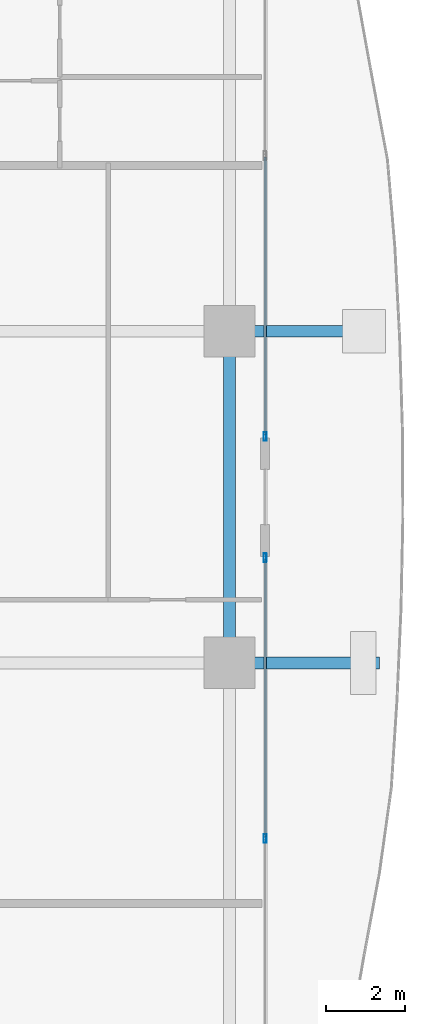
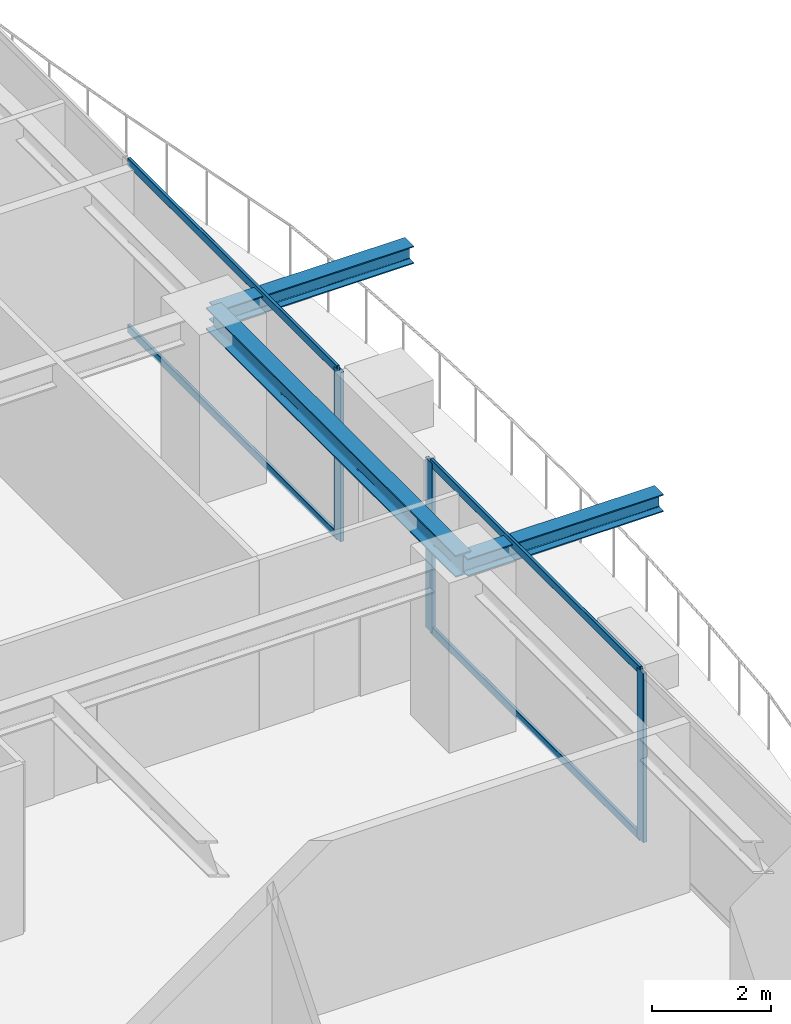
# One storey, part 14 of 35: 7 members, 3 beams, 2 elements without a shape of their own.
"""IFC4 building model written with IfcOpenShell, lengths in metres."""

from ifc_helpers import new_model, si_unit, direction, frame, origin, origin_2d, place, context, subcontext, project, spatial, hollow_rectangle, i_section, extrude, source, transform, mapped, material, layer, layer_set, material_profile, profile_set, type_object, element, aggregate, save


model = new_model("IFC4")

# Units and contexts
model_context = context("Model", 3, precision=1e-05, world=origin(), true_north=direction((0.0, 1.0)))
body_context = subcontext(model_context, "Body", "Model", "MODEL_VIEW")
ifc_project = project(units=[si_unit("LENGTHUNIT", "METRE"), si_unit("AREAUNIT", "SQUARE_METRE"), si_unit("VOLUMEUNIT", "CUBIC_METRE"), si_unit("PLANEANGLEUNIT", "RADIAN"), si_unit("MASSUNIT", "GRAM", prefix="KILO")], contexts=[model_context])

# Site, building, storey
site_placement = place(None, origin())
site = spatial("IfcSite", under=ifc_project, at=site_placement, CompositionType="ELEMENT")
building_placement = place(site_placement, origin())
building = spatial("IfcBuilding", under=site, at=building_placement, Name="Serunith Strait Residences", CompositionType="ELEMENT")
storey_placement = place(building_placement, frame((0.0, 0.0, 191.39990234375)))
storey = spatial("IfcBuildingStorey", under=building, at=storey_placement, Name="L48", CompositionType="ELEMENT", Elevation=191.39990234375)

# Beams
ifc_material_1 = material(Name="Steel S355J2", Category="steel")
ifc_material_profile_1 = material_profile(ifc_material_1, i_section(OverallWidth=0.300048828125, OverallDepth=0.449951171875, WebThickness=0.013916015625, FlangeThickness=0.02587890625, FilletRadius=0.027099609375, at=origin_2d()), Name="HEB 450")
ifc_profile_set_1 = profile_set([ifc_material_profile_1], Name="Steel S355J2")
beam_type_1 = type_object("IfcBeamType", Name="BM-HEB450", PredefinedType="BEAM", material=ifc_profile_set_1)
shared_shape_1 = source(origin(), body_context, "Body", "SweptSolid", [
    extrude(i_section(OverallWidth=0.300048828125, OverallDepth=0.449951171875, WebThickness=0.013916015625, FlangeThickness=0.02587890625, FilletRadius=0.027099609375, at=origin_2d()), origin(), (0.0, 0.0, 1.0), 8.39990234375),
])
beam_placement = place(storey_placement, frame((56.10009765625, 21.0, 3.26220703125), z_axis=(0.0, 1.0, 0.0), x_axis=(-1.0, 0.0, 0.0)))
element("IfcBeam", 1, at=beam_placement, inside=storey, type_object=beam_type_1, Name="L48 Perimeter Ring Beam 06", PredefinedType="BEAM", context=body_context, shape_type="MappedRepresentation", body=[
    mapped(shared_shape_1, transform((0.0, 0.0, 0.0), scale=1.0)),
])
ifc_material_profile_2 = material_profile(ifc_material_1, i_section(OverallWidth=0.300048828125, OverallDepth=0.360107421875, WebThickness=0.012451171875, FlangeThickness=0.0224609375, FilletRadius=0.027099609375, at=origin_2d()), Name="HEB 360")
ifc_profile_set_2 = profile_set([ifc_material_profile_2], Name="Steel S355J2")
beam_type_2 = type_object("IfcBeamType", Name="BM-HEB360", PredefinedType="BEAM", material=ifc_profile_set_2)
shared_shape_2 = source(origin(), body_context, "Body", "SweptSolid", [
    extrude(i_section(OverallWidth=0.300048828125, OverallDepth=0.360107421875, WebThickness=0.012451171875, FlangeThickness=0.0224609375, FilletRadius=0.027099609375, at=origin_2d()), origin(), (0.0, 0.0, 1.0), 3.7998046875),
])
for number, where, z_axis, x_axis, name in (
    (2, (56.10009765625, 21.0, 3.277099609375), (1.0, 0.0, 0.0), (0.0, 1.0, 0.0), "L49 Cantilevered Balcony Rib TC-E2"),
    (3, (56.10009765625, 29.39990234375, 3.277099609375), (1.0, 0.0, 0.0), (0.0, 1.0, 0.0), "L49 Cantilevered Balcony Rib TC-E3"),
):
    element("IfcBeam", number, at=place(storey_placement, frame(where, z_axis=z_axis, x_axis=x_axis)), inside=storey, type_object=beam_type_2, Name=name, PredefinedType="BEAM", context=body_context, shape_type="MappedRepresentation", body=[
        mapped(shared_shape_2, transform((0.0, 0.0, 0.0), scale=1.0)),
    ])

# Curtain wall, members
ifc_material_2 = material(Name="Pale-Silver PVDF Aluminium", Category="aluminium")
ifc_layer = layer(ifc_material_2, 0.199951171875, Name="Pale-Silver PVDF Aluminium")
ifc_layer_set = layer_set([ifc_layer], Name="Pale-Silver PVDF Aluminium")
curtain_wall_type = type_object("IfcCurtainWallType", Name="CW-SYS3", PredefinedType="NOTDEFINED", material=ifc_layer_set)
curtain_wall_1_placement = place(storey_placement, origin())
curtain_wall_1 = element("IfcCurtainWall", 4, at=curtain_wall_1_placement, inside=storey, type_object=curtain_wall_type, Name="L48 E Unitised Fritted Curtain Wall", PredefinedType="NOTDEFINED")
ifc_material_profile_3 = material_profile(ifc_material_2, hollow_rectangle(XDim=0.074951171875, YDim=0.219970703125, WallThickness=0.00390625, InnerFilletRadius=0.006103515625, OuterFilletRadius=0.010009765625, at=origin_2d()), Name="ALU 220x75x4")
ifc_profile_set_3 = profile_set([ifc_material_profile_3], Name="Pale-Silver PVDF Aluminium")
member_type_1 = type_object("IfcMemberType", Name="CW-SYS3-MULL", PredefinedType="MULLION", material=ifc_profile_set_3)
shared_shape_3 = source(origin(), body_context, "Body", "SweptSolid", [
    extrude(hollow_rectangle(XDim=0.074951171875, YDim=0.219970703125, WallThickness=0.00390625, InnerFilletRadius=0.006103515625, OuterFilletRadius=0.010009765625, at=origin_2d()), origin(), (0.0, 0.0, 1.0), 3.47509765625),
])
member_1_placement = place(storey_placement, frame((57.0, 16.550048828125, 0.0), z_axis=(0.0, 0.0, 1.0), x_axis=(-1.0, 0.0, 0.0)))
member_1 = element("IfcMember", 5, at=member_1_placement, type_object=member_type_1, Name="CW-3 mullion 2", PredefinedType="MULLION", context=body_context, shape_type="MappedRepresentation", body=[
    mapped(shared_shape_3, transform((0.0, 0.0, 0.0), scale=1.0)),
])
member_2_placement = place(storey_placement, frame((57.0, 23.66259765625, 0.0), z_axis=(0.0, 0.0, 1.0), x_axis=(-1.0, 0.0, 0.0)))
member_2 = element("IfcMember", 6, at=member_2_placement, type_object=member_type_1, Name="CW-3 mullion 3", PredefinedType="MULLION", context=body_context, shape_type="MappedRepresentation", body=[
    mapped(shared_shape_3, transform((0.0, 0.0, 0.0), scale=1.0)),
])

# Curtain wall, member
curtain_wall_2_placement = place(storey_placement, origin())
curtain_wall_2 = element("IfcCurtainWall", 7, at=curtain_wall_2_placement, inside=storey, type_object=curtain_wall_type, Name="L48 E Unitised Fritted Curtain Wall", PredefinedType="NOTDEFINED")
member_3_placement = place(storey_placement, frame((57.0, 26.737548828125, 0.0), z_axis=(0.0, 0.0, 1.0), x_axis=(-1.0, 0.0, 0.0)))
member_3 = element("IfcMember", 8, at=member_3_placement, type_object=member_type_1, Name="CW-3 mullion 1", PredefinedType="MULLION", context=body_context, shape_type="MappedRepresentation", body=[
    mapped(shared_shape_3, transform((0.0, 0.0, 0.0), scale=1.0)),
])

# Member
ifc_material_profile_4 = material_profile(ifc_material_2, hollow_rectangle(XDim=0.06005859375, YDim=0.159912109375, WallThickness=0.00341796875, InnerFilletRadius=0.00537109375, OuterFilletRadius=0.0087890625, at=origin_2d()), Name="ALU 160x60x3.5")
ifc_profile_set_4 = profile_set([ifc_material_profile_4], Name="Pale-Silver PVDF Aluminium")
member_type_2 = type_object("IfcMemberType", Name="CW-SYS3-TRAN", PredefinedType="USERDEFINED", material=ifc_profile_set_4)
shared_shape_4 = source(origin(), body_context, "Body", "SweptSolid", [
    extrude(hollow_rectangle(XDim=0.06005859375, YDim=0.159912109375, WallThickness=0.00341796875, InnerFilletRadius=0.00537109375, OuterFilletRadius=0.0087890625, at=origin_2d()), origin(), (0.0, 0.0, 1.0), 7.03759765625),
])
member_4_placement = place(storey_placement, frame((57.0, 16.58740234375, 0.030029296875), z_axis=(0.0, 1.0, 0.0), x_axis=(-1.0, 0.0, 0.0)))
member_4 = element("IfcMember", 9, at=member_4_placement, type_object=member_type_2, Name="CW-3 transom 2.1", ObjectType="TRANSOM", PredefinedType="USERDEFINED", context=body_context, shape_type="MappedRepresentation", body=[
    mapped(shared_shape_4, transform((0.0, 0.0, 0.0), scale=1.0)),
])

member_5_placement = place(storey_placement, frame((57.0, 16.58740234375, 3.445068359375), z_axis=(0.0, 1.0, 0.0), x_axis=(-1.0, 0.0, 0.0)))
member_5 = element("IfcMember", 10, at=member_5_placement, type_object=member_type_2, Name="CW-3 transom 2.2", ObjectType="TRANSOM", PredefinedType="USERDEFINED", context=body_context, shape_type="MappedRepresentation", body=[
    mapped(shared_shape_4, transform((0.0, 0.0, 0.0), scale=1.0)),
])

aggregate(curtain_wall_1, [member_1, member_2, member_4, member_5])

member_6_placement = place(storey_placement, frame((57.0, 26.77490234375, 0.030029296875), z_axis=(0.0, 1.0, 0.0), x_axis=(-1.0, 0.0, 0.0)))
member_6 = element("IfcMember", 11, at=member_6_placement, type_object=member_type_2, Name="CW-3 transom 1.1", ObjectType="TRANSOM", PredefinedType="USERDEFINED", context=body_context, shape_type="MappedRepresentation", body=[
    mapped(shared_shape_4, transform((0.0, 0.0, 0.0), scale=1.0)),
])

member_7_placement = place(storey_placement, frame((57.0, 26.77490234375, 3.445068359375), z_axis=(0.0, 1.0, 0.0), x_axis=(-1.0, 0.0, 0.0)))
member_7 = element("IfcMember", 12, at=member_7_placement, type_object=member_type_2, Name="CW-3 transom 1.2", ObjectType="TRANSOM", PredefinedType="USERDEFINED", context=body_context, shape_type="MappedRepresentation", body=[
    mapped(shared_shape_4, transform((0.0, 0.0, 0.0), scale=1.0)),
])

aggregate(curtain_wall_2, [member_3, member_6, member_7])

save(model, "model.ifc")
